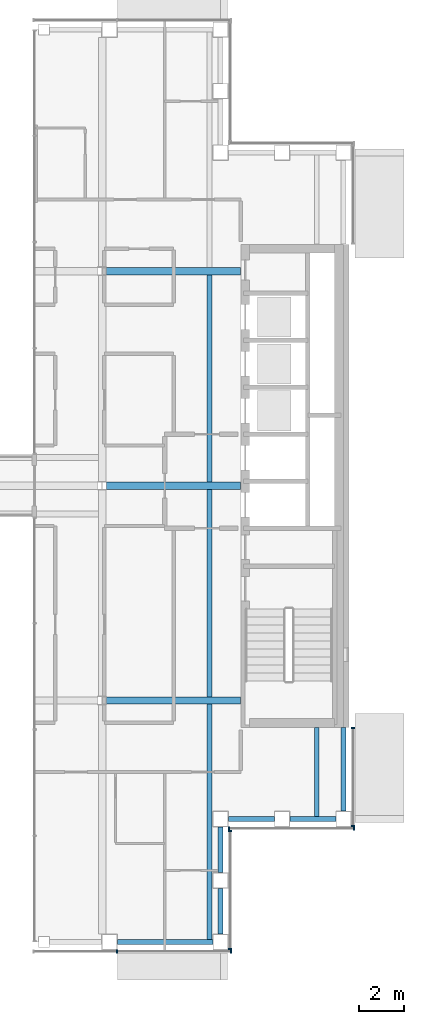
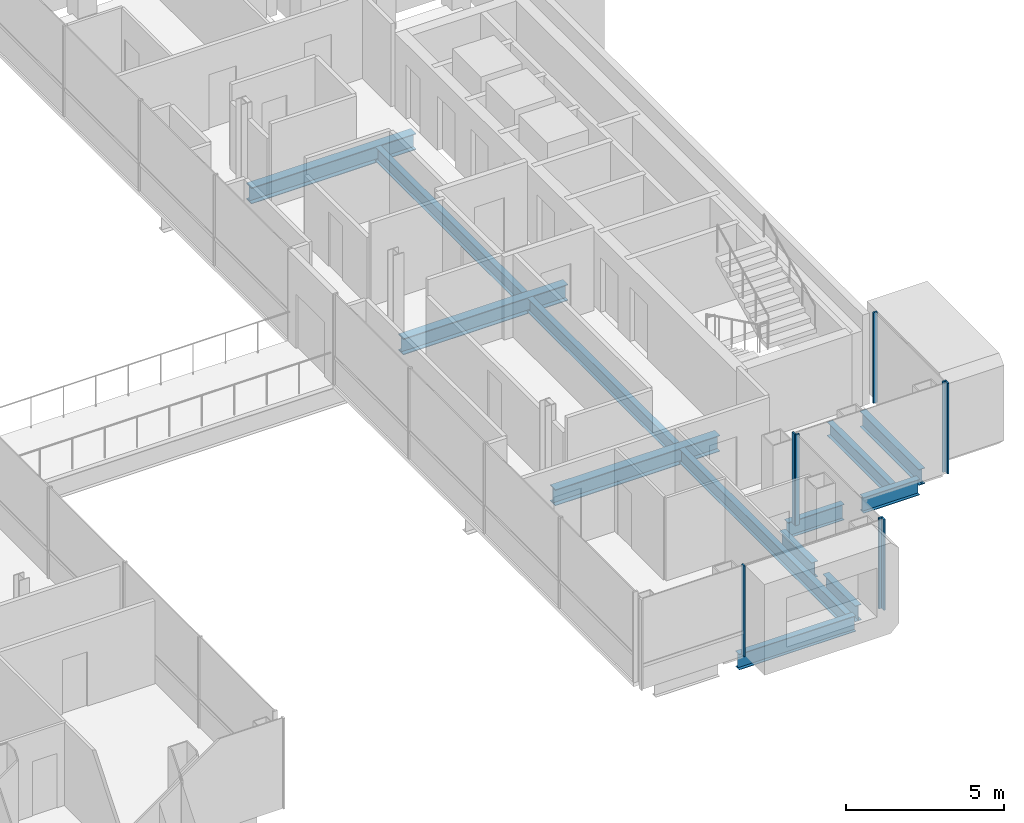
# One storey, part 6 of 17: 13 beams, 8 members, 4 elements without a shape of their own.
"""IFC4 building model written with IfcOpenShell, lengths in metres."""

import ifcopenshell
import ifcopenshell.guid

model = None  # the IFC model being written
_history = None  # IfcOwnerHistory: only IFC2X3 demands one
_inside = {}  # id of a spatial element -> (the spatial element, [elements in it])
_under = {}  # id of a project, library or spatial element -> (it, [spatial elements below it])
_declared = {}  # id of a project -> (the project, [libraries it declares])
_typed = {}  # id of a type object -> (the type object, [elements of that type])
_made_of = {}  # id of a material, layer set ... -> (it, [elements and type objects made of it])


def new_model(schema):
    """Start an empty IFC model of exactly this schema.

    Asked for "IFC4X3", IfcOpenShell would pick the latest addendum, in which some entities
    have other attributes; the version numbers below select the first issue.
    IFC2X3 requires an IfcOwnerHistory on every rooted entity: one is made here for all.
    """
    global model, _history
    if schema == "IFC4X3":
        model = ifcopenshell.file(schema_version=(4, 3, 0, 0))
    else:
        model = ifcopenshell.file(schema=schema)
    _inside.clear()
    _under.clear()
    _declared.clear()
    _typed.clear()
    _made_of.clear()
    _history = None
    if model.schema == "IFC2X3":
        org = make("IfcOrganization", Name="unknown")
        user = make(
            "IfcPersonAndOrganization",
            ThePerson=make("IfcPerson", FamilyName="unknown"),
            TheOrganization=org,
        )
        app = make(
            "IfcApplication",
            ApplicationDeveloper=org,
            Version="unknown",
            ApplicationFullName="unknown",
            ApplicationIdentifier="unknown",
        )
        _history = make(
            "IfcOwnerHistory",
            OwningUser=user,
            OwningApplication=app,
            ChangeAction="ADDED",
            CreationDate=0,
        )
    return model


def make(cls, **values):
    """One entity of the class cls with the attributes given. An attribute that is None is left unset."""
    return model.create_entity(
        cls, **{name: value for name, value in values.items() if value is not None}
    )


def rooted(cls, **values):
    """An entity with a GlobalId (a new one), such as an element, a storey or a relation."""
    return make(cls, GlobalId=ifcopenshell.guid.new(), OwnerHistory=_history, **values)


def si_unit(unit_type, name, prefix=None):
    """IfcSIUnit, for example si_unit("LENGTHUNIT", "METRE", prefix="MILLI")."""
    return make("IfcSIUnit", UnitType=unit_type, Prefix=prefix, Name=name)


def assignment(units):
    """IfcUnitAssignment: the units of a project."""
    return None if units is None else make("IfcUnitAssignment", Units=units)


def point(xyz):
    """IfcCartesianPoint."""
    return None if xyz is None else make("IfcCartesianPoint", Coordinates=xyz)


def direction(xyz):
    """IfcDirection."""
    return None if xyz is None else make("IfcDirection", DirectionRatios=xyz)


def frame(location, z_axis=None, x_axis=None):
    """IfcAxis2Placement3D, a coordinate frame: its origin and axes. An axis left out is left unset."""
    return make(
        "IfcAxis2Placement3D",
        Location=point(location),
        Axis=direction(z_axis),
        RefDirection=direction(x_axis),
    )


def frame_2d(location, x_axis=None):
    """IfcAxis2Placement2D, a coordinate frame in the plane: its origin and x axis."""
    return make(
        "IfcAxis2Placement2D", Location=point(location), RefDirection=direction(x_axis)
    )


def origin():
    """The frame at (0, 0, 0) with its axes left unset."""
    return frame((0.0, 0.0, 0.0))


def origin_2d():
    """The frame at (0, 0) in the plane with its x axis left unset."""
    return frame_2d((0.0, 0.0))


def place(relative_to, where):
    """IfcLocalPlacement: puts the frame where relative to a parent placement (None: the world)."""
    return make(
        "IfcLocalPlacement", PlacementRelTo=relative_to, RelativePlacement=where
    )


def context(
    kind, dimensions, precision=None, world=None, true_north=None, identifier=None
):
    """IfcGeometricRepresentationContext, for example the 3D "Model" context."""
    return make(
        "IfcGeometricRepresentationContext",
        ContextIdentifier=identifier,
        ContextType=kind,
        CoordinateSpaceDimension=dimensions,
        Precision=precision,
        WorldCoordinateSystem=world,
        TrueNorth=true_north,
    )


def subcontext(parent, identifier, kind, view, scale=None):
    """IfcGeometricRepresentationSubContext, for example "Body" below "Model"."""
    return make(
        "IfcGeometricRepresentationSubContext",
        ContextIdentifier=identifier,
        ContextType=kind,
        ParentContext=parent,
        TargetScale=scale,
        TargetView=view,
    )


def project(units=None, contexts=None):
    """IfcProject with its units and contexts."""
    return rooted(
        "IfcProject",
        Name="project",
        RepresentationContexts=contexts,
        UnitsInContext=assignment(units),
    )


def spatial(cls, under=None, at=None, **own):
    """A site, building, storey or space (cls), placed at a placement, below another one or the project."""
    s = rooted(cls, ObjectPlacement=at, **own)
    if under is not None:
        _under.setdefault(under.id(), (under, []))[1].append(s)
    return s


def profile(cls, at=None, kind="AREA", **sizes):
    """A parametric profile (cls). Its sizes go by their IFC names, for example OverallWidth=200.0."""
    return make(cls, ProfileType=kind, Position=at, **sizes)


def rectangle(**sizes):
    """IfcRectangleProfileDef."""
    return profile("IfcRectangleProfileDef", **sizes)


def i_section(**sizes):
    """IfcIShapeProfileDef."""
    return profile("IfcIShapeProfileDef", **sizes)


def extrude(swept, where, along, depth):
    """IfcExtrudedAreaSolid: the profile swept, set in the frame where, extruded along a direction by depth."""
    return make(
        "IfcExtrudedAreaSolid",
        SweptArea=swept,
        Position=where,
        ExtrudedDirection=direction(along),
        Depth=depth,
    )


def shape(context_of_items, identifier, shape_type, items):
    """IfcShapeRepresentation: the items that make up one representation, for example the "Body"."""
    return make(
        "IfcShapeRepresentation",
        ContextOfItems=context_of_items,
        RepresentationIdentifier=identifier,
        RepresentationType=shape_type,
        Items=items,
    )


def material(Name=None, Category=None):
    """IfcMaterial."""
    return make("IfcMaterial", Name=Name, Category=Category)


def material_profile(
    of_material, cross_section, Name=None, Category=None, Priority=None
):
    """IfcMaterialProfile: a cross section and its material."""
    return make(
        "IfcMaterialProfile",
        Name=Name,
        Material=of_material,
        Profile=cross_section,
        Priority=Priority,
        Category=Category,
    )


def profile_set(profiles, Name=None, composite=None):
    """IfcMaterialProfileSet."""
    return make(
        "IfcMaterialProfileSet",
        Name=Name,
        MaterialProfiles=profiles,
        CompositeProfile=composite,
    )


def made_of(thing, what):
    """Note that an element or type object is made of a material, layer set ...; save() writes the relation."""
    if what is not None:
        _made_of.setdefault(what.id(), (what, []))[1].append(thing)
    return thing


def type_object(cls, material=None, **own):
    """A type object (cls), such as IfcWallType, which elements share."""
    return made_of(rooted(cls, **own), material)


def element(
    cls,
    number,
    at=None,
    inside=None,
    cuts=None,
    type_object=None,
    material=None,
    context=None,
    identifier="Body",
    shape_type=None,
    held_by="IfcProductDefinitionShape",
    body=None,
    shapes=None,
    **own,
):
    """One element of the class cls, such as IfcWall. Its Tag is "e" and its number.

    at: its placement. inside: the storey or other place that contains it. cuts: it is an
    opening in that element (IfcRelVoidsElement). A single representation is given by context,
    identifier, shape_type and body (its items); several are given by shapes. held_by: the class
    of the entity that holds the representations. save() writes the other relations.
    """
    e = rooted(cls, Tag="e%d" % number, ObjectPlacement=at, **own)
    if body is not None:
        shapes = [shape(context, identifier, shape_type, body)]
    if shapes is not None:
        e.Representation = make(held_by, Representations=shapes)
    if inside is not None:
        _inside.setdefault(inside.id(), (inside, []))[1].append(e)
    if cuts is not None:
        rooted(
            "IfcRelVoidsElement", RelatingBuildingElement=cuts, RelatedOpeningElement=e
        )
    if type_object is not None:
        _typed.setdefault(type_object.id(), (type_object, []))[1].append(e)
    return made_of(e, material)


def aggregate(whole, parts):
    """IfcRelAggregates: a whole, such as a stair, and the parts it consists of."""
    return rooted("IfcRelAggregates", RelatingObject=whole, RelatedObjects=parts)


def save(model, path):
    """Write the relations noted so far, then the file.

    IfcRelAggregates (storeys below a building ...), IfcRelContainedInSpatialStructure (elements
    in a storey), IfcRelDefinesByType, IfcRelAssociatesMaterial and IfcRelDeclares: one each for
    every whole, place, type object, material and project.
    """
    for whole, parts in _under.values():
        aggregate(whole, parts)
    for where, things in _inside.values():
        rooted(
            "IfcRelContainedInSpatialStructure",
            RelatedElements=things,
            RelatingStructure=where,
        )
    for kind, things in _typed.values():
        rooted("IfcRelDefinesByType", RelatedObjects=things, RelatingType=kind)
    for what, things in _made_of.values():
        rooted("IfcRelAssociatesMaterial", RelatedObjects=things, RelatingMaterial=what)
    for by, libraries in _declared.values():
        rooted("IfcRelDeclares", RelatingContext=by, RelatedDefinitions=libraries)
    model.write(path)


model = new_model("IFC4")

# Units and contexts
model_context = context("Model", 3, precision=1e-05, world=origin(), true_north=direction((0.0, 1.0)))
body_context = subcontext(model_context, "Body", "Model", "MODEL_VIEW")
ifc_project = project(units=[si_unit("LENGTHUNIT", "METRE"), si_unit("AREAUNIT", "SQUARE_METRE"), si_unit("VOLUMEUNIT", "CUBIC_METRE"), si_unit("PLANEANGLEUNIT", "RADIAN"), si_unit("MASSUNIT", "GRAM", prefix="KILO")], contexts=[model_context])

# Site, building, storey
site_placement = place(None, origin())
site = spatial("IfcSite", under=ifc_project, at=site_placement, CompositionType="ELEMENT")
building_placement = place(site_placement, origin())
building = spatial("IfcBuilding", under=site, at=building_placement, Name="Cobrizo Arcos Hotel Tower", CompositionType="ELEMENT")
storey_placement = place(building_placement, frame((0.0, 0.0, 233.0)))
storey = spatial("IfcBuildingStorey", under=building, at=storey_placement, Name="L61", CompositionType="ELEMENT", Elevation=233.0)

# Curtain wall, members
ifc_material_1 = material(Name="Aluminium 6063-T6 anodised bronze", Category="aluminium")
curtain_wall_type = type_object("IfcCurtainWallType", Name="CW-A guest facade", PredefinedType="NOTDEFINED", material=ifc_material_1)
curtain_wall_1_placement = place(storey_placement, origin())
curtain_wall_1 = element("IfcCurtainWall", 1, at=curtain_wall_1_placement, inside=storey, type_object=curtain_wall_type, Name="CW-A L61 S face", PredefinedType="NOTDEFINED")
ifc_material_profile_1 = material_profile(ifc_material_1, rectangle(XDim=0.14990234375, YDim=0.06005859375, at=origin_2d()), Name="CW-A mullion 150x60")
ifc_profile_set_1 = profile_set([ifc_material_profile_1], Name="Aluminium 6063-T6 anodised bronze")
member_type = type_object("IfcMemberType", Name="CW-A mullion 150x60", PredefinedType="MULLION", material=ifc_profile_set_1)
member_1_placement = place(storey_placement, frame((10.2666015625, -20.824951171875, 0.0), z_axis=(0.0, 0.0, 1.0), x_axis=(0.0, -1.0, 0.0)))
member_1 = element("IfcMember", 2, at=member_1_placement, type_object=member_type, Name="CW-A mullion 2", PredefinedType="MULLION", context=body_context, shape_type="SweptSolid", body=[
    extrude(rectangle(XDim=0.14990234375, YDim=0.06005859375, at=origin_2d()), origin(), (0.0, 0.0, 1.0), 3.5),
])
member_2_placement = place(storey_placement, frame((15.3701171875, -20.824951171875, 0.0), z_axis=(0.0, 0.0, 1.0), x_axis=(0.0, -1.0, 0.0)))
member_2 = element("IfcMember", 3, at=member_2_placement, type_object=member_type, Name="CW-A mullion 3", PredefinedType="MULLION", context=body_context, shape_type="SweptSolid", body=[
    extrude(rectangle(XDim=0.14990234375, YDim=0.06005859375, at=origin_2d()), origin(), (0.0, 0.0, 1.0), 3.5),
])
aggregate(curtain_wall_1, [member_1, member_2])

curtain_wall_2_placement = place(storey_placement, origin())
curtain_wall_2 = element("IfcCurtainWall", 4, at=curtain_wall_2_placement, inside=storey, type_object=curtain_wall_type, Name="CW-A L61 E face", PredefinedType="NOTDEFINED")
member_3_placement = place(storey_placement, frame((15.324951171875, -20.719970703125, 0.0), z_axis=(0.0, 0.0, 1.0), x_axis=(1.0, 0.0, 0.0)))
member_3 = element("IfcMember", 5, at=member_3_placement, type_object=member_type, Name="CW-A mullion 1", PredefinedType="MULLION", context=body_context, shape_type="SweptSolid", body=[
    extrude(rectangle(XDim=0.14990234375, YDim=0.06005859375, at=origin_2d()), origin(), (0.0, 0.0, 1.0), 3.5),
])
member_4_placement = place(storey_placement, frame((15.324951171875, -15.429931640625, 0.0), z_axis=(0.0, 0.0, 1.0), x_axis=(1.0, 0.0, 0.0)))
member_4 = element("IfcMember", 6, at=member_4_placement, type_object=member_type, Name="CW-A mullion 2", PredefinedType="MULLION", context=body_context, shape_type="SweptSolid", body=[
    extrude(rectangle(XDim=0.14990234375, YDim=0.06005859375, at=origin_2d()), origin(), (0.0, 0.0, 1.0), 3.5),
])
aggregate(curtain_wall_2, [member_3, member_4])

curtain_wall_3_placement = place(storey_placement, origin())
curtain_wall_3 = element("IfcCurtainWall", 7, at=curtain_wall_3_placement, inside=storey, type_object=curtain_wall_type, Name="CW-A L61 S face", PredefinedType="NOTDEFINED")
member_5_placement = place(storey_placement, frame((15.280029296875, -15.324951171875, 0.0), z_axis=(0.0, 0.0, 1.0), x_axis=(0.0, -1.0, 0.0)))
member_5 = element("IfcMember", 8, at=member_5_placement, type_object=member_type, Name="CW-A mullion 1", PredefinedType="MULLION", context=body_context, shape_type="SweptSolid", body=[
    extrude(rectangle(XDim=0.14990234375, YDim=0.06005859375, at=origin_2d()), origin(), (0.0, 0.0, 1.0), 3.5),
])
member_6_placement = place(storey_placement, frame((20.8701171875, -15.324951171875, 0.0), z_axis=(0.0, 0.0, 1.0), x_axis=(0.0, -1.0, 0.0)))
member_6 = element("IfcMember", 9, at=member_6_placement, type_object=member_type, Name="CW-A mullion 2", PredefinedType="MULLION", context=body_context, shape_type="SweptSolid", body=[
    extrude(rectangle(XDim=0.14990234375, YDim=0.06005859375, at=origin_2d()), origin(), (0.0, 0.0, 1.0), 3.5),
])
aggregate(curtain_wall_3, [member_5, member_6])

curtain_wall_4_placement = place(storey_placement, origin())
curtain_wall_4 = element("IfcCurtainWall", 10, at=curtain_wall_4_placement, inside=storey, type_object=curtain_wall_type, Name="CW-A L61 E face", PredefinedType="NOTDEFINED")
member_7_placement = place(storey_placement, frame((20.824951171875, -15.219970703125, 0.0), z_axis=(0.0, 0.0, 1.0), x_axis=(1.0, 0.0, 0.0)))
member_7 = element("IfcMember", 11, at=member_7_placement, type_object=member_type, Name="CW-A mullion 1", PredefinedType="MULLION", context=body_context, shape_type="SweptSolid", body=[
    extrude(rectangle(XDim=0.14990234375, YDim=0.06005859375, at=origin_2d()), origin(), (0.0, 0.0, 1.0), 3.5),
])
member_8_placement = place(storey_placement, frame((20.824951171875, -10.830078125, 0.0), z_axis=(0.0, 0.0, 1.0), x_axis=(1.0, 0.0, 0.0)))
member_8 = element("IfcMember", 12, at=member_8_placement, type_object=member_type, Name="CW-A mullion 2", PredefinedType="MULLION", context=body_context, shape_type="SweptSolid", body=[
    extrude(rectangle(XDim=0.14990234375, YDim=0.06005859375, at=origin_2d()), origin(), (0.0, 0.0, 1.0), 3.5),
])
aggregate(curtain_wall_4, [member_7, member_8])

# Beams
ifc_material_2 = material(Name="Steel ASTM A992 Grade 50", Category="steel")
ifc_material_profile_2 = material_profile(ifc_material_2, i_section(OverallWidth=0.209228515625, OverallDepth=0.533447265625, WebThickness=0.01025390625, FlangeThickness=0.015625, at=origin_2d()), Name="W21X62")
ifc_profile_set_2 = profile_set([ifc_material_profile_2], Name="Steel ASTM A992 Grade 50")
beam_type_1 = type_object("IfcBeamType", Name="W21X62 joist", PredefinedType="JOIST", material=ifc_profile_set_2)
beam_1_placement = place(storey_placement, frame((14.39990234375, -20.31005859375, -0.416748046875), z_axis=(0.0, 1.0, 0.0), x_axis=(-1.0, 0.0, 0.0)))
element("IfcBeam", 13, at=beam_1_placement, inside=storey, type_object=beam_type_1, Name="Floor joist J1, L61, no. 007", PredefinedType="JOIST", context=body_context, shape_type="SweptSolid", body=[
    extrude(i_section(OverallWidth=0.209228515625, OverallDepth=0.533447265625, WebThickness=0.01025390625, FlangeThickness=0.015625, at=origin_2d()), origin(), (0.0, 0.0, 1.0), 10.546142578125),
])
for number, where, z_axis, x_axis, name in (
    (14, (14.39990234375, -9.43603515625, -0.416748046875), (0.0, 1.0, 0.0), (-1.0, 0.0, 0.0), "Floor joist J1, L61, no. 008"),
    (15, (14.39990234375, 0.163818359375, -0.416748046875), (0.0, 1.0, 0.0), (-1.0, 0.0, 0.0), "Floor joist J1, L61, no. 009"),
):
    element("IfcBeam", number, at=place(storey_placement, frame(where, z_axis=z_axis, x_axis=x_axis)), inside=storey, type_object=beam_type_1, Name=name, PredefinedType="JOIST", context=body_context, shape_type="SweptSolid", body=[
        extrude(i_section(OverallWidth=0.209228515625, OverallDepth=0.533447265625, WebThickness=0.01025390625, FlangeThickness=0.015625, at=origin_2d()), origin(), (0.0, 0.0, 1.0), 9.272216796875),
    ])
beam_2_placement = place(storey_placement, frame((19.199951171875, -14.81005859375, -0.416748046875), z_axis=(0.0, 1.0, 0.0), x_axis=(-1.0, 0.0, 0.0)))
element("IfcBeam", 16, at=beam_2_placement, inside=storey, type_object=beam_type_1, Name="Floor joist J1, L61, no. 011", PredefinedType="JOIST", context=body_context, shape_type="SweptSolid", body=[
    extrude(i_section(OverallWidth=0.209228515625, OverallDepth=0.533447265625, WebThickness=0.01025390625, FlangeThickness=0.015625, at=origin_2d()), origin(), (0.0, 0.0, 1.0), 4.0),
])
ifc_material_profile_3 = material_profile(ifc_material_2, i_section(OverallWidth=0.32763671875, OverallDepth=0.622314453125, WebThickness=0.015380859375, FlangeThickness=0.0244140625, at=origin_2d()), Name="W24X131")
ifc_profile_set_3 = profile_set([ifc_material_profile_3], Name="Steel ASTM A992 Grade 50")
beam_type_2 = type_object("IfcBeamType", Name="W24X131 girder", PredefinedType="BEAM", material=ifc_profile_set_3)
for number, where, z_axis, x_axis, name in (
    (17, (9.78662109375, -9.60009765625, -0.461181640625), (1.0, 0.0, 0.0), (0.0, 1.0, 0.0), "Floor girder G1, L61, no. 004"),
    (18, (9.78662109375, 0.0, -0.461181640625), (1.0, 0.0, 0.0), (0.0, 1.0, 0.0), "Floor girder G1, L61, no. 007"),
    (19, (9.78662109375, 9.60009765625, -0.461181640625), (1.0, 0.0, 0.0), (0.0, 1.0, 0.0), "Floor girder G1, L61, no. 011"),
):
    element("IfcBeam", number, at=place(storey_placement, frame(where, z_axis=z_axis, x_axis=x_axis)), inside=storey, type_object=beam_type_2, Name=name, PredefinedType="BEAM", context=body_context, shape_type="SweptSolid", body=[
        extrude(i_section(OverallWidth=0.32763671875, OverallDepth=0.622314453125, WebThickness=0.015380859375, FlangeThickness=0.0244140625, at=origin_2d()), origin(), (0.0, 0.0, 1.0), 6.00341796875),
    ])
ifc_material_profile_4 = material_profile(ifc_material_2, i_section(OverallWidth=0.228271484375, OverallDepth=0.607177734375, WebThickness=0.01123046875, FlangeThickness=0.017333984375, at=origin_2d()), Name="W24X76")
ifc_profile_set_4 = profile_set([ifc_material_profile_4], Name="Steel ASTM A992 Grade 50")
beam_type_3 = type_object("IfcBeamType", Name="W24X76 spandrel", PredefinedType="SPANDREL", material=ifc_profile_set_4)
beam_3_placement = place(storey_placement, frame((20.39990234375, -10.81005859375, -0.45361328125), z_axis=(0.0, -1.0, 0.0), x_axis=(1.0, 0.0, 0.0)))
element("IfcBeam", 20, at=beam_3_placement, inside=storey, type_object=beam_type_3, Name="Spandrel beam W24X76, L61, no. 004", PredefinedType="SPANDREL", context=body_context, shape_type="SweptSolid", body=[
    extrude(i_section(OverallWidth=0.228271484375, OverallDepth=0.607177734375, WebThickness=0.01123046875, FlangeThickness=0.017333984375, at=origin_2d()), origin(), (0.0, 0.0, 1.0), 3.739990234375),
])
for number, where, z_axis, x_axis, name in (
    (21, (20.050048828125, -14.89990234375, -0.45361328125), (-1.0, 0.0, 0.0), (0.0, -1.0, 0.0), "Spandrel beam W24X76, L61, no. 005"),
    (22, (17.300048828125, -14.89990234375, -0.45361328125), (-1.0, 0.0, 0.0), (0.0, -1.0, 0.0), "Spandrel beam W24X76, L61, no. 006"),
    (23, (14.89990234375, -15.25, -0.45361328125), (0.0, -1.0, 0.0), (1.0, 0.0, 0.0), "Spandrel beam W24X76, L61, no. 007"),
    (24, (14.89990234375, -18.0, -0.45361328125), (0.0, -1.0, 0.0), (1.0, 0.0, 0.0), "Spandrel beam W24X76, L61, no. 008"),
):
    element("IfcBeam", number, at=place(storey_placement, frame(where, z_axis=z_axis, x_axis=x_axis)), inside=storey, type_object=beam_type_3, Name=name, PredefinedType="SPANDREL", context=body_context, shape_type="SweptSolid", body=[
        extrude(i_section(OverallWidth=0.228271484375, OverallDepth=0.607177734375, WebThickness=0.01123046875, FlangeThickness=0.017333984375, at=origin_2d()), origin(), (0.0, 0.0, 1.0), 2.050048828125),
    ])
beam_4_placement = place(storey_placement, frame((14.550048828125, -20.39990234375, -0.45361328125), z_axis=(-1.0, 0.0, 0.0), x_axis=(0.0, -1.0, 0.0)))
element("IfcBeam", 25, at=beam_4_placement, inside=storey, type_object=beam_type_3, Name="Spandrel beam W24X76, L61, no. 009", PredefinedType="SPANDREL", context=body_context, shape_type="SweptSolid", body=[
    extrude(i_section(OverallWidth=0.228271484375, OverallDepth=0.607177734375, WebThickness=0.01123046875, FlangeThickness=0.017333984375, at=origin_2d()), origin(), (0.0, 0.0, 1.0), 4.26708984375),
])

save(model, "model.ifc")
